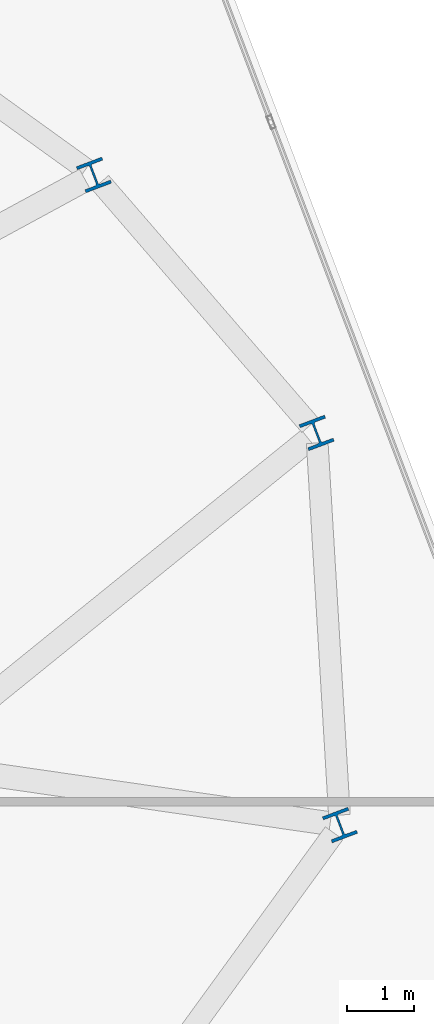
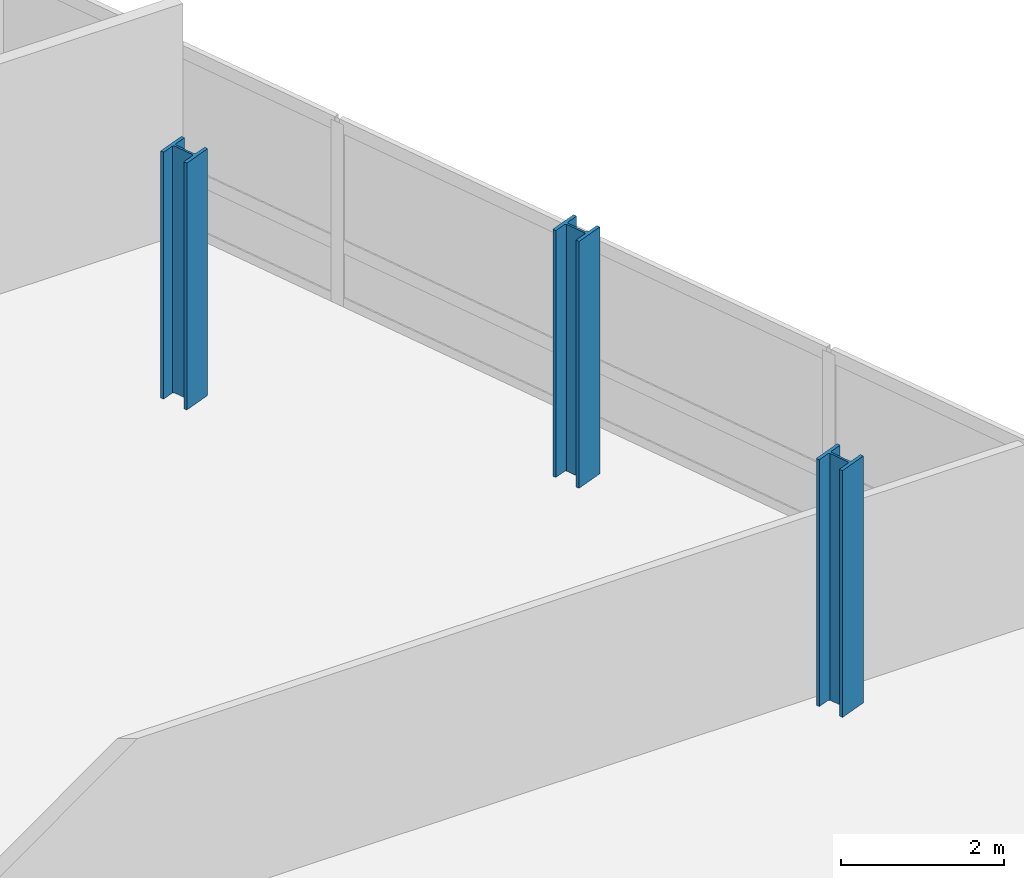
# One storey, part 2 of 20: 3 columns.
"""IFC4 building model written with IfcOpenShell, lengths in metres."""

import ifcopenshell
import ifcopenshell.guid

model = None  # the IFC model being written
_history = None  # IfcOwnerHistory: only IFC2X3 demands one
_inside = {}  # id of a spatial element -> (the spatial element, [elements in it])
_under = {}  # id of a project, library or spatial element -> (it, [spatial elements below it])
_declared = {}  # id of a project -> (the project, [libraries it declares])
_typed = {}  # id of a type object -> (the type object, [elements of that type])
_made_of = {}  # id of a material, layer set ... -> (it, [elements and type objects made of it])


def new_model(schema):
    """Start an empty IFC model of exactly this schema.

    Asked for "IFC4X3", IfcOpenShell would pick the latest addendum, in which some entities
    have other attributes; the version numbers below select the first issue.
    IFC2X3 requires an IfcOwnerHistory on every rooted entity: one is made here for all.
    """
    global model, _history
    if schema == "IFC4X3":
        model = ifcopenshell.file(schema_version=(4, 3, 0, 0))
    else:
        model = ifcopenshell.file(schema=schema)
    _inside.clear()
    _under.clear()
    _declared.clear()
    _typed.clear()
    _made_of.clear()
    _history = None
    if model.schema == "IFC2X3":
        org = make("IfcOrganization", Name="unknown")
        user = make(
            "IfcPersonAndOrganization",
            ThePerson=make("IfcPerson", FamilyName="unknown"),
            TheOrganization=org,
        )
        app = make(
            "IfcApplication",
            ApplicationDeveloper=org,
            Version="unknown",
            ApplicationFullName="unknown",
            ApplicationIdentifier="unknown",
        )
        _history = make(
            "IfcOwnerHistory",
            OwningUser=user,
            OwningApplication=app,
            ChangeAction="ADDED",
            CreationDate=0,
        )
    return model


def make(cls, **values):
    """One entity of the class cls with the attributes given. An attribute that is None is left unset."""
    return model.create_entity(
        cls, **{name: value for name, value in values.items() if value is not None}
    )


def rooted(cls, **values):
    """An entity with a GlobalId (a new one), such as an element, a storey or a relation."""
    return make(cls, GlobalId=ifcopenshell.guid.new(), OwnerHistory=_history, **values)


def si_unit(unit_type, name, prefix=None):
    """IfcSIUnit, for example si_unit("LENGTHUNIT", "METRE", prefix="MILLI")."""
    return make("IfcSIUnit", UnitType=unit_type, Prefix=prefix, Name=name)


def assignment(units):
    """IfcUnitAssignment: the units of a project."""
    return None if units is None else make("IfcUnitAssignment", Units=units)


def point(xyz):
    """IfcCartesianPoint."""
    return None if xyz is None else make("IfcCartesianPoint", Coordinates=xyz)


def direction(xyz):
    """IfcDirection."""
    return None if xyz is None else make("IfcDirection", DirectionRatios=xyz)


def frame(location, z_axis=None, x_axis=None):
    """IfcAxis2Placement3D, a coordinate frame: its origin and axes. An axis left out is left unset."""
    return make(
        "IfcAxis2Placement3D",
        Location=point(location),
        Axis=direction(z_axis),
        RefDirection=direction(x_axis),
    )


def frame_2d(location, x_axis=None):
    """IfcAxis2Placement2D, a coordinate frame in the plane: its origin and x axis."""
    return make(
        "IfcAxis2Placement2D", Location=point(location), RefDirection=direction(x_axis)
    )


def origin():
    """The frame at (0, 0, 0) with its axes left unset."""
    return frame((0.0, 0.0, 0.0))


def origin_2d():
    """The frame at (0, 0) in the plane with its x axis left unset."""
    return frame_2d((0.0, 0.0))


def place(relative_to, where):
    """IfcLocalPlacement: puts the frame where relative to a parent placement (None: the world)."""
    return make(
        "IfcLocalPlacement", PlacementRelTo=relative_to, RelativePlacement=where
    )


def context(
    kind, dimensions, precision=None, world=None, true_north=None, identifier=None
):
    """IfcGeometricRepresentationContext, for example the 3D "Model" context."""
    return make(
        "IfcGeometricRepresentationContext",
        ContextIdentifier=identifier,
        ContextType=kind,
        CoordinateSpaceDimension=dimensions,
        Precision=precision,
        WorldCoordinateSystem=world,
        TrueNorth=true_north,
    )


def subcontext(parent, identifier, kind, view, scale=None):
    """IfcGeometricRepresentationSubContext, for example "Body" below "Model"."""
    return make(
        "IfcGeometricRepresentationSubContext",
        ContextIdentifier=identifier,
        ContextType=kind,
        ParentContext=parent,
        TargetScale=scale,
        TargetView=view,
    )


def project(units=None, contexts=None):
    """IfcProject with its units and contexts."""
    return rooted(
        "IfcProject",
        Name="project",
        RepresentationContexts=contexts,
        UnitsInContext=assignment(units),
    )


def spatial(cls, under=None, at=None, **own):
    """A site, building, storey or space (cls), placed at a placement, below another one or the project."""
    s = rooted(cls, ObjectPlacement=at, **own)
    if under is not None:
        _under.setdefault(under.id(), (under, []))[1].append(s)
    return s


def profile(cls, at=None, kind="AREA", **sizes):
    """A parametric profile (cls). Its sizes go by their IFC names, for example OverallWidth=200.0."""
    return make(cls, ProfileType=kind, Position=at, **sizes)


def i_section(**sizes):
    """IfcIShapeProfileDef."""
    return profile("IfcIShapeProfileDef", **sizes)


def extrude(swept, where, along, depth):
    """IfcExtrudedAreaSolid: the profile swept, set in the frame where, extruded along a direction by depth."""
    return make(
        "IfcExtrudedAreaSolid",
        SweptArea=swept,
        Position=where,
        ExtrudedDirection=direction(along),
        Depth=depth,
    )


def shape(context_of_items, identifier, shape_type, items):
    """IfcShapeRepresentation: the items that make up one representation, for example the "Body"."""
    return make(
        "IfcShapeRepresentation",
        ContextOfItems=context_of_items,
        RepresentationIdentifier=identifier,
        RepresentationType=shape_type,
        Items=items,
    )


def material(Name=None, Category=None):
    """IfcMaterial."""
    return make("IfcMaterial", Name=Name, Category=Category)


def material_profile(
    of_material, cross_section, Name=None, Category=None, Priority=None
):
    """IfcMaterialProfile: a cross section and its material."""
    return make(
        "IfcMaterialProfile",
        Name=Name,
        Material=of_material,
        Profile=cross_section,
        Priority=Priority,
        Category=Category,
    )


def profile_set(profiles, Name=None, composite=None):
    """IfcMaterialProfileSet."""
    return make(
        "IfcMaterialProfileSet",
        Name=Name,
        MaterialProfiles=profiles,
        CompositeProfile=composite,
    )


def made_of(thing, what):
    """Note that an element or type object is made of a material, layer set ...; save() writes the relation."""
    if what is not None:
        _made_of.setdefault(what.id(), (what, []))[1].append(thing)
    return thing


def type_object(cls, material=None, **own):
    """A type object (cls), such as IfcWallType, which elements share."""
    return made_of(rooted(cls, **own), material)


def element(
    cls,
    number,
    at=None,
    inside=None,
    cuts=None,
    type_object=None,
    material=None,
    context=None,
    identifier="Body",
    shape_type=None,
    held_by="IfcProductDefinitionShape",
    body=None,
    shapes=None,
    **own,
):
    """One element of the class cls, such as IfcWall. Its Tag is "e" and its number.

    at: its placement. inside: the storey or other place that contains it. cuts: it is an
    opening in that element (IfcRelVoidsElement). A single representation is given by context,
    identifier, shape_type and body (its items); several are given by shapes. held_by: the class
    of the entity that holds the representations. save() writes the other relations.
    """
    e = rooted(cls, Tag="e%d" % number, ObjectPlacement=at, **own)
    if body is not None:
        shapes = [shape(context, identifier, shape_type, body)]
    if shapes is not None:
        e.Representation = make(held_by, Representations=shapes)
    if inside is not None:
        _inside.setdefault(inside.id(), (inside, []))[1].append(e)
    if cuts is not None:
        rooted(
            "IfcRelVoidsElement", RelatingBuildingElement=cuts, RelatedOpeningElement=e
        )
    if type_object is not None:
        _typed.setdefault(type_object.id(), (type_object, []))[1].append(e)
    return made_of(e, material)


def aggregate(whole, parts):
    """IfcRelAggregates: a whole, such as a stair, and the parts it consists of."""
    return rooted("IfcRelAggregates", RelatingObject=whole, RelatedObjects=parts)


def save(model, path):
    """Write the relations noted so far, then the file.

    IfcRelAggregates (storeys below a building ...), IfcRelContainedInSpatialStructure (elements
    in a storey), IfcRelDefinesByType, IfcRelAssociatesMaterial and IfcRelDeclares: one each for
    every whole, place, type object, material and project.
    """
    for whole, parts in _under.values():
        aggregate(whole, parts)
    for where, things in _inside.values():
        rooted(
            "IfcRelContainedInSpatialStructure",
            RelatedElements=things,
            RelatingStructure=where,
        )
    for kind, things in _typed.values():
        rooted("IfcRelDefinesByType", RelatedObjects=things, RelatingType=kind)
    for what, things in _made_of.values():
        rooted("IfcRelAssociatesMaterial", RelatedObjects=things, RelatingMaterial=what)
    for by, libraries in _declared.values():
        rooted("IfcRelDeclares", RelatingContext=by, RelatedDefinitions=libraries)
    model.write(path)


model = new_model("IFC4")

# Units and contexts
model_context = context("Model", 3, precision=1e-05, world=origin(), true_north=direction((0.0, 1.0)))
body_context = subcontext(model_context, "Body", "Model", "MODEL_VIEW")
ifc_project = project(units=[si_unit("LENGTHUNIT", "METRE"), si_unit("AREAUNIT", "SQUARE_METRE"), si_unit("VOLUMEUNIT", "CUBIC_METRE"), si_unit("PLANEANGLEUNIT", "RADIAN"), si_unit("MASSUNIT", "GRAM", prefix="KILO")], contexts=[model_context])

# Site, building, storey
site_placement = place(None, origin())
site = spatial("IfcSite", under=ifc_project, at=site_placement, CompositionType="ELEMENT")
building_placement = place(site_placement, origin())
building = spatial("IfcBuilding", under=site, at=building_placement, Name="Varnelok Gate Tower", CompositionType="ELEMENT")
storey_placement = place(building_placement, frame((0.0, 0.0, 234.89990234375)))
storey = spatial("IfcBuildingStorey", under=building, at=storey_placement, Name="L60", CompositionType="ELEMENT", Elevation=234.89990234375)

# Columns
ifc_material = material(Name="Structural Steel ASTM A992 Grade 50", Category="steel")
ifc_material_profile = material_profile(ifc_material, i_section(OverallWidth=0.406005859375, OverallDepth=0.416015625, WebThickness=0.02978515625, FlangeThickness=0.048095703125, FilletRadius=0.02490234375, at=origin_2d()), Name="W14X257")
ifc_profile_set = profile_set([ifc_material_profile], Name="Structural Steel ASTM A992 Grade 50")
column_type = type_object("IfcColumnType", Name="COL-W14X257", PredefinedType="COLUMN", material=ifc_profile_set)
for number, where, z_axis, x_axis, name in (
    (1, (71.05517578125, 26.453369140625, 0.0), (0.0, 0.0, 1.0), (0.935221751401, 0.354062530786, 0.0), "L60 B5 Perimeter Column PC06"),
    (2, (70.70556640625, 32.319580078125, 0.0), (0.0, 0.0, 1.0), (0.935221751401, 0.354062530786, 0.0), "L60 B5 Perimeter Column PC07"),
    (3, (67.372802734375, 36.1796875, 0.0), (0.0, 0.0, 1.0), (0.935221751401, 0.354062530786, 0.0), "L60 B5 Perimeter Column PC08"),
):
    element("IfcColumn", number, at=place(storey_placement, frame(where, z_axis=z_axis, x_axis=x_axis)), inside=storey, type_object=column_type, Name=name, PredefinedType="COLUMN", context=body_context, shape_type="SweptSolid", body=[
        extrude(i_section(OverallWidth=0.406005859375, OverallDepth=0.416015625, WebThickness=0.02978515625, FlangeThickness=0.048095703125, FilletRadius=0.02490234375, at=origin_2d()), origin(), (0.0, 0.0, 1.0), 3.7001953125),
    ])

save(model, "model.ifc")
